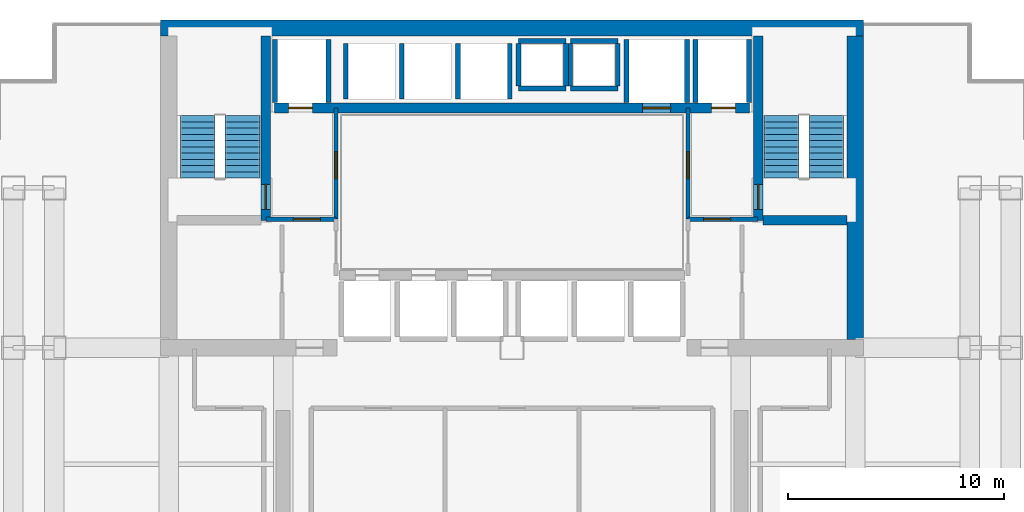
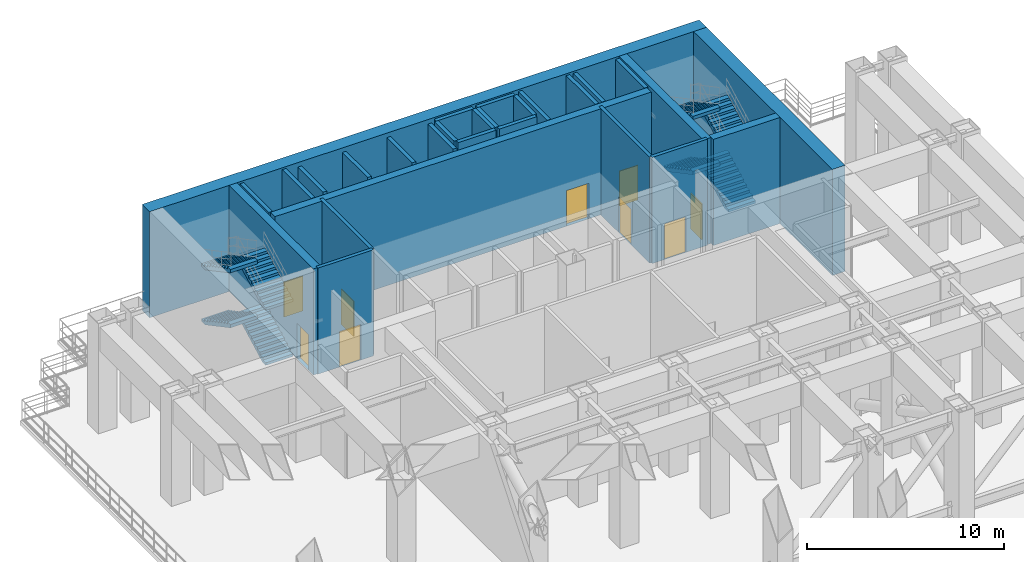
# One storey, part 4 of 7: 28 walls, 9 doors, 8 stair flights, 9 openings, 2 elements without a shape of their own.
"""IFC4 building model written with IfcOpenShell, lengths in metres."""

from ifc_helpers import new_model, si_unit, direction, frame, frame_2d, origin, place, context, subcontext, project, spatial, polyline, rectangle, outline, extrude, material, layer, layer_set, type_object, element, fill, aggregate, save


model = new_model("IFC4")

# Units and contexts
model_context = context("Model", 3, precision=1e-05, world=origin(), true_north=direction((0.0, 1.0)))
body_context = subcontext(model_context, "Body", "Model", "MODEL_VIEW")
ifc_project = project(units=[si_unit("LENGTHUNIT", "METRE"), si_unit("AREAUNIT", "SQUARE_METRE"), si_unit("VOLUMEUNIT", "CUBIC_METRE"), si_unit("PLANEANGLEUNIT", "RADIAN"), si_unit("MASSUNIT", "GRAM", prefix="KILO")], contexts=[model_context])

# Site, building, storey
site_placement = place(None, origin())
site = spatial("IfcSite", under=ifc_project, at=site_placement, CompositionType="ELEMENT")
building_placement = place(site_placement, origin())
building = spatial("IfcBuilding", under=site, at=building_placement, Name="Qianlan Lanfeng Residences", CompositionType="ELEMENT")
storey_placement = place(building_placement, frame((0.0, 0.0, 70.39990234375)))
storey = spatial("IfcBuildingStorey", under=building, at=storey_placement, Name="L19", CompositionType="ELEMENT", Elevation=70.39990234375)

# Wall, opening, door
ifc_material_1 = material(Name="Concrete C60", Category="concrete")
ifc_layer_1 = layer(ifc_material_1, 0.449951171875)
ifc_layer_set_1 = layer_set([ifc_layer_1], Name="Concrete C60")
wall_type_1 = type_object("IfcWallType", Name="CW-RC-450", PredefinedType="SHEAR", material=ifc_layer_set_1)
wall_1_placement = place(storey_placement, frame((15.10009765625, 31.10009765625, 0.0), z_axis=(0.0, 0.0, 1.0), x_axis=(0.0, 1.0, 0.0)))
wall_1 = element("IfcWall", 1, at=wall_1_placement, inside=storey, type_object=wall_type_1, Name="L19 Core Shear Wall ST1E", PredefinedType="SHEAR", context=body_context, shape_type="SweptSolid", body=[
    extrude(rectangle(XDim=8.52490234375, YDim=0.449951171875, at=frame_2d((4.262451171875, 0.0))), origin(), (0.0, 0.0, 1.0), 6.56005859375),
])
opening_1_placement = place(wall_1_placement, frame((0.510009765625, 0.0, 0.0)))
opening_1 = element("IfcOpeningElement", 2, at=opening_1_placement, cuts=wall_1, Name="Opening L19-D07", PredefinedType="OPENING", context=body_context, shape_type="SweptSolid", body=[
    extrude(rectangle(XDim=1.14990234375, YDim=2.199951171875, at=frame_2d((0.574951171875, 1.10009765625))), frame((0.0, 0.23486328125, 0.0), z_axis=(0.0, -1.0, 0.0), x_axis=(1.0, 0.0, 0.0)), (0.0, 0.0, 1.0), 0.469970703125),
])
ifc_material_2 = material(Name="Painted Galvanised Steel Fire Door", Category="steel")
door_type_1 = type_object("IfcDoorType", Name="DT-ST1", OperationType="NOTDEFINED", PredefinedType="DOOR", material=ifc_material_2)
door_1_placement = place(opening_1_placement, frame((1.14990234375, 0.0, 0.0), z_axis=(0.0, 0.0, 1.0), x_axis=(-1.0, 0.0, 0.0)))
door_1 = element("IfcDoor", 3, at=door_1_placement, inside=storey, type_object=door_type_1, Name="L19 Exit Stair ST-1 Door L19-D07 (DT-ST1)", OperationType="SINGLE_SWING_RIGHT", OverallHeight=2.199951171875, OverallWidth=1.14990234375, PredefinedType="DOOR", context=body_context, shape_type="SweptSolid", body=[
    extrude(rectangle(XDim=1.14990234375, YDim=2.199951171875, at=frame_2d((0.574951171875, 1.10009765625))), frame((0.0, 0.02490234375, 0.0), z_axis=(0.0, -1.0, 0.0), x_axis=(1.0, 0.0, 0.0)), (0.0, 0.0, 1.0), 0.050048828125),
])
fill(opening_1, door_1)

wall_2_placement = place(storey_placement, frame((37.89990234375, 31.10009765625, 0.0), z_axis=(0.0, 0.0, 1.0), x_axis=(0.0, 1.0, 0.0)))
wall_2 = element("IfcWall", 4, at=wall_2_placement, inside=storey, type_object=wall_type_1, Name="L19 Core Shear Wall ST2W", PredefinedType="SHEAR", context=body_context, shape_type="SweptSolid", body=[
    extrude(rectangle(XDim=8.52490234375, YDim=0.449951171875, at=frame_2d((4.262451171875, 0.0))), origin(), (0.0, 0.0, 1.0), 6.56005859375),
])
opening_2_placement = place(wall_2_placement, frame((0.510009765625, 0.0, 0.0)))
opening_2 = element("IfcOpeningElement", 5, at=opening_2_placement, cuts=wall_2, Name="Opening L19-D08", PredefinedType="OPENING", context=body_context, shape_type="SweptSolid", body=[
    extrude(rectangle(XDim=1.14990234375, YDim=2.199951171875, at=frame_2d((0.574951171875, 1.10009765625))), frame((0.0, 0.23486328125, 0.0), z_axis=(0.0, -1.0, 0.0), x_axis=(1.0, 0.0, 0.0)), (0.0, 0.0, 1.0), 0.469970703125),
])
door_2_placement = place(opening_2_placement, origin())
door_2 = element("IfcDoor", 6, at=door_2_placement, inside=storey, type_object=door_type_1, Name="L19 Exit Stair ST-2 Door L19-D08 (DT-ST1)", OperationType="SINGLE_SWING_RIGHT", OverallHeight=2.199951171875, OverallWidth=1.14990234375, PredefinedType="DOOR", context=body_context, shape_type="SweptSolid", body=[
    extrude(rectangle(XDim=1.14990234375, YDim=2.199951171875, at=frame_2d((0.574951171875, 1.10009765625))), frame((0.0, 0.02490234375, 0.0), z_axis=(0.0, -1.0, 0.0), x_axis=(1.0, 0.0, 0.0)), (0.0, 0.0, 1.0), 0.050048828125),
])
fill(opening_2, door_2)

# Wall
wall_3_placement = place(storey_placement, frame((38.125, 31.10009765625, 0.0), z_axis=(0.0, 0.0, 1.0), x_axis=(1.0, 0.0, 0.0)))
element("IfcWall", 7, at=wall_3_placement, inside=storey, type_object=wall_type_1, Name="L19 Core Shear Wall ST2S", PredefinedType="SHEAR", context=body_context, shape_type="SweptSolid", body=[
    extrude(rectangle(XDim=3.89990234375, YDim=0.449951171875, at=frame_2d((1.949951171875, 0.0))), origin(), (0.0, 0.0, 1.0), 6.56005859375),
])

# Wall, openings, doors
wall_4_placement = place(storey_placement, frame((15.5, 36.300048828125, 0.0), z_axis=(0.0, 0.0, 1.0), x_axis=(1.0, 0.0, 0.0)))
wall_4 = element("IfcWall", 8, at=wall_4_placement, inside=storey, type_object=wall_type_1, Name="L19 Core Shear Wall LBN", PredefinedType="SHEAR", context=body_context, shape_type="SweptSolid", body=[
    extrude(rectangle(XDim=22.0, YDim=0.449951171875, at=frame_2d((11.0, 0.0))), origin(), (0.0, 0.0, 1.0), 6.56005859375),
])
opening_3_placement = place(wall_4_placement, frame((0.64990234375, 0.0, 0.0)))
opening_3 = element("IfcOpeningElement", 9, at=opening_3_placement, cuts=wall_4, Name="Opening L19-LD-FFL-1", PredefinedType="OPENING", context=body_context, shape_type="SweptSolid", body=[
    extrude(rectangle(XDim=1.10009765625, YDim=2.14990234375, at=frame_2d((0.550048828125, 1.074951171875))), frame((0.0, 0.23486328125, 0.0), z_axis=(0.0, -1.0, 0.0), x_axis=(1.0, 0.0, 0.0)), (0.0, 0.0, 1.0), 0.469970703125),
])
opening_4_placement = place(wall_4_placement, frame((20.25, 0.0, 0.0)))
opening_4 = element("IfcOpeningElement", 10, at=opening_4_placement, cuts=wall_4, Name="Opening L19-LD-FFL-2", PredefinedType="OPENING", context=body_context, shape_type="SweptSolid", body=[
    extrude(rectangle(XDim=1.10009765625, YDim=2.14990234375, at=frame_2d((0.550048828125, 1.074951171875))), frame((0.0, 0.23486328125, 0.0), z_axis=(0.0, -1.0, 0.0), x_axis=(1.0, 0.0, 0.0)), (0.0, 0.0, 1.0), 0.469970703125),
])
opening_5_placement = place(wall_4_placement, frame((17.050048828125, 0.0, 0.0)))
opening_5 = element("IfcOpeningElement", 11, at=opening_5_placement, cuts=wall_4, Name="Opening L19-LD-SVL-1", PredefinedType="OPENING", context=body_context, shape_type="SweptSolid", body=[
    extrude(rectangle(XDim=1.300048828125, YDim=2.199951171875, at=frame_2d((0.64990234375, 1.10009765625))), frame((0.0, 0.23486328125, 0.0), z_axis=(0.0, -1.0, 0.0), x_axis=(1.0, 0.0, 0.0)), (0.0, 0.0, 1.0), 0.469970703125),
])
ifc_material_3 = material(Name="Brushed Stainless Steel Sliding Lift Door", Category="steel")
door_type_2 = type_object("IfcDoorType", Name="LD-01", OperationType="NOTDEFINED", PredefinedType="DOOR", material=ifc_material_3)
door_3_placement = place(opening_3_placement, frame((1.10009765625, 0.0, 0.0), z_axis=(0.0, 0.0, 1.0), x_axis=(-1.0, 0.0, 0.0)))
door_3 = element("IfcDoor", 12, at=door_3_placement, inside=storey, type_object=door_type_2, Name="L19 Elevator FFL-1 Sliding Landing Door", OperationType="DOUBLE_DOOR_SLIDING", OverallHeight=2.14990234375, OverallWidth=1.10009765625, PredefinedType="DOOR", context=body_context, shape_type="SweptSolid", body=[
    extrude(rectangle(XDim=1.10009765625, YDim=2.14990234375, at=frame_2d((0.550048828125, 1.074951171875))), frame((0.0, 0.02490234375, 0.0), z_axis=(0.0, -1.0, 0.0), x_axis=(1.0, 0.0, 0.0)), (0.0, 0.0, 1.0), 0.050048828125),
])
fill(opening_3, door_3)
door_4_placement = place(opening_4_placement, frame((1.10009765625, 0.0, 0.0), z_axis=(0.0, 0.0, 1.0), x_axis=(-1.0, 0.0, 0.0)))
door_4 = element("IfcDoor", 13, at=door_4_placement, inside=storey, type_object=door_type_2, Name="L19 Elevator FFL-2 Sliding Landing Door", OperationType="DOUBLE_DOOR_SLIDING", OverallHeight=2.14990234375, OverallWidth=1.10009765625, PredefinedType="DOOR", context=body_context, shape_type="SweptSolid", body=[
    extrude(rectangle(XDim=1.10009765625, YDim=2.14990234375, at=frame_2d((0.550048828125, 1.074951171875))), frame((0.0, 0.02490234375, 0.0), z_axis=(0.0, -1.0, 0.0), x_axis=(1.0, 0.0, 0.0)), (0.0, 0.0, 1.0), 0.050048828125),
])
fill(opening_4, door_4)
door_type_3 = type_object("IfcDoorType", Name="LD-02", OperationType="NOTDEFINED", PredefinedType="DOOR", material=ifc_material_3)
door_5_placement = place(opening_5_placement, frame((1.300048828125, 0.0, 0.0), z_axis=(0.0, 0.0, 1.0), x_axis=(-1.0, 0.0, 0.0)))
door_5 = element("IfcDoor", 14, at=door_5_placement, inside=storey, type_object=door_type_3, Name="L19 Elevator SVL-1 Sliding Landing Door", OperationType="DOUBLE_DOOR_SLIDING", OverallHeight=2.199951171875, OverallWidth=1.300048828125, PredefinedType="DOOR", context=body_context, shape_type="SweptSolid", body=[
    extrude(rectangle(XDim=1.300048828125, YDim=2.199951171875, at=frame_2d((0.64990234375, 1.10009765625))), frame((0.0, 0.02490234375, 0.0), z_axis=(0.0, -1.0, 0.0), x_axis=(1.0, 0.0, 0.0)), (0.0, 0.0, 1.0), 0.050048828125),
])
fill(opening_5, door_5)

# Walls
ifc_layer_2 = layer(ifc_material_1, 0.75)
ifc_layer_set_2 = layer_set([ifc_layer_2], Name="Concrete C60")
wall_type_2 = type_object("IfcWallType", Name="CW-RC-750", PredefinedType="SHEAR", material=ifc_layer_set_2)
wall_5_placement = place(storey_placement, frame((10.22509765625, 40.0, 0.0), z_axis=(0.0, 0.0, 1.0), x_axis=(1.0, 0.0, 0.0)))
element("IfcWall", 15, at=wall_5_placement, inside=storey, type_object=wall_type_2, Name="L19 Core Shear Wall N", PredefinedType="SHEAR", context=body_context, shape_type="SweptSolid", body=[
    extrude(rectangle(XDim=32.5498046875, YDim=0.75, at=frame_2d((16.27490234375, 0.0))), origin(), (0.0, 0.0, 1.0), 6.56005859375),
])
wall_6_placement = place(storey_placement, frame((42.39990234375, 25.574951171875, 0.0), z_axis=(0.0, 0.0, 1.0), x_axis=(0.0, 1.0, 0.0)))
element("IfcWall", 16, at=wall_6_placement, inside=storey, type_object=wall_type_2, Name="L19 Core Shear Wall E", PredefinedType="SHEAR", context=body_context, shape_type="SweptSolid", body=[
    extrude(rectangle(XDim=14.050048828125, YDim=0.75, at=frame_2d((7.02490234375, 0.0))), origin(), (0.0, 0.0, 1.0), 6.56005859375),
])

# Wall, opening, door
ifc_material_4 = material(Name="Autoclaved Aerated Concrete Blockwork 200 mm", Category="masonry")
ifc_layer_3 = layer(ifc_material_4, 0.199951171875)
ifc_layer_set_3 = layer_set([ifc_layer_3], Name="Autoclaved Aerated Concrete Blockwork 200 mm")
wall_type_3 = type_object("IfcWallType", Name="PW-200", PredefinedType="PARTITIONING", material=ifc_layer_set_3)
wall_7_placement = place(storey_placement, frame((15.10009765625, 31.14990234375, 0.0), z_axis=(0.0, 0.0, 1.0), x_axis=(1.0, 0.0, 0.0)))
wall_7 = element("IfcWall", 17, at=wall_7_placement, inside=storey, type_object=wall_type_3, Name="L19 Firefighting Lobby 1 South Wall", PredefinedType="PARTITIONING", context=body_context, shape_type="SweptSolid", body=[
    extrude(rectangle(XDim=3.25, YDim=0.199951171875, at=frame_2d((1.625, 0.0))), origin(), (0.0, 0.0, 1.0), 6.56005859375),
])
opening_6_placement = place(wall_7_placement, frame((1.27490234375, 0.0, 0.0)))
opening_6 = element("IfcOpeningElement", 18, at=opening_6_placement, cuts=wall_7, Name="Opening L19-D03", PredefinedType="OPENING", context=body_context, shape_type="SweptSolid", body=[
    extrude(rectangle(XDim=1.25, YDim=2.199951171875, at=frame_2d((0.625, 1.10009765625))), frame((0.0, 0.10986328125, 0.0), z_axis=(0.0, -1.0, 0.0), x_axis=(1.0, 0.0, 0.0)), (0.0, 0.0, 1.0), 0.219970703125),
])
door_type_4 = type_object("IfcDoorType", Name="DT-FFL", OperationType="NOTDEFINED", PredefinedType="DOOR", material=ifc_material_2)
door_6_placement = place(opening_6_placement, origin())
door_6 = element("IfcDoor", 19, at=door_6_placement, inside=storey, type_object=door_type_4, Name="L19 Firefighting Lobby 1 Entry Door L19-D03 (DT-FFL)", OperationType="SINGLE_SWING_LEFT", OverallHeight=2.199951171875, OverallWidth=1.25, PredefinedType="DOOR", context=body_context, shape_type="SweptSolid", body=[
    extrude(rectangle(XDim=1.25, YDim=2.199951171875, at=frame_2d((0.625, 1.10009765625))), frame((0.0, 0.02490234375, 0.0), z_axis=(0.0, -1.0, 0.0), x_axis=(1.0, 0.0, 0.0)), (0.0, 0.0, 1.0), 0.050048828125),
])
fill(opening_6, door_6)

wall_8_placement = place(storey_placement, frame((18.35009765625, 31.14990234375, 0.0), z_axis=(0.0, 0.0, 1.0), x_axis=(0.0, 1.0, 0.0)))
wall_8 = element("IfcWall", 20, at=wall_8_placement, inside=storey, type_object=wall_type_3, Name="L19 Firefighting Lobby 1 East Wall", PredefinedType="PARTITIONING", context=body_context, shape_type="SweptSolid", body=[
    extrude(rectangle(XDim=5.150146484375, YDim=0.199951171875, at=frame_2d((2.5751953125, 0.0))), origin(), (0.0, 0.0, 1.0), 6.56005859375),
])
opening_7_placement = place(wall_8_placement, frame((1.875, 0.0, 0.0)))
opening_7 = element("IfcOpeningElement", 21, at=opening_7_placement, cuts=wall_8, Name="Opening L19-D04", PredefinedType="OPENING", context=body_context, shape_type="SweptSolid", body=[
    extrude(rectangle(XDim=1.25, YDim=2.199951171875, at=frame_2d((0.625, 1.10009765625))), frame((0.0, 0.10986328125, 0.0), z_axis=(0.0, -1.0, 0.0), x_axis=(1.0, 0.0, 0.0)), (0.0, 0.0, 1.0), 0.219970703125),
])
door_7_placement = place(opening_7_placement, origin())
door_7 = element("IfcDoor", 22, at=door_7_placement, inside=storey, type_object=door_type_4, Name="L19 Firefighting Lobby 1 Lift Lobby Door L19-D04 (DT-FFL)", OperationType="SINGLE_SWING_LEFT", OverallHeight=2.199951171875, OverallWidth=1.25, PredefinedType="DOOR", context=body_context, shape_type="SweptSolid", body=[
    extrude(rectangle(XDim=1.25, YDim=2.199951171875, at=frame_2d((0.625, 1.10009765625))), frame((0.0, 0.02490234375, 0.0), z_axis=(0.0, -1.0, 0.0), x_axis=(1.0, 0.0, 0.0)), (0.0, 0.0, 1.0), 0.050048828125),
])
fill(opening_7, door_7)

wall_9_placement = place(storey_placement, frame((34.64990234375, 31.14990234375, 0.0), z_axis=(0.0, 0.0, 1.0), x_axis=(1.0, 0.0, 0.0)))
wall_9 = element("IfcWall", 23, at=wall_9_placement, inside=storey, type_object=wall_type_3, Name="L19 Firefighting Lobby 2 South Wall", PredefinedType="PARTITIONING", context=body_context, shape_type="SweptSolid", body=[
    extrude(rectangle(XDim=3.25, YDim=0.199951171875, at=frame_2d((1.625, 0.0))), origin(), (0.0, 0.0, 1.0), 6.56005859375),
])
opening_8_placement = place(wall_9_placement, frame((0.72509765625, 0.0, 0.0)))
opening_8 = element("IfcOpeningElement", 24, at=opening_8_placement, cuts=wall_9, Name="Opening L19-D05", PredefinedType="OPENING", context=body_context, shape_type="SweptSolid", body=[
    extrude(rectangle(XDim=1.25, YDim=2.199951171875, at=frame_2d((0.625, 1.10009765625))), frame((0.0, 0.10986328125, 0.0), z_axis=(0.0, -1.0, 0.0), x_axis=(1.0, 0.0, 0.0)), (0.0, 0.0, 1.0), 0.219970703125),
])
door_8_placement = place(opening_8_placement, origin())
door_8 = element("IfcDoor", 25, at=door_8_placement, inside=storey, type_object=door_type_4, Name="L19 Firefighting Lobby 2 Entry Door L19-D05 (DT-FFL)", OperationType="SINGLE_SWING_RIGHT", OverallHeight=2.199951171875, OverallWidth=1.25, PredefinedType="DOOR", context=body_context, shape_type="SweptSolid", body=[
    extrude(rectangle(XDim=1.25, YDim=2.199951171875, at=frame_2d((0.625, 1.10009765625))), frame((0.0, 0.02490234375, 0.0), z_axis=(0.0, -1.0, 0.0), x_axis=(1.0, 0.0, 0.0)), (0.0, 0.0, 1.0), 0.050048828125),
])
fill(opening_8, door_8)

wall_10_placement = place(storey_placement, frame((34.64990234375, 31.14990234375, 0.0), z_axis=(0.0, 0.0, 1.0), x_axis=(0.0, 1.0, 0.0)))
wall_10 = element("IfcWall", 26, at=wall_10_placement, inside=storey, type_object=wall_type_3, Name="L19 Firefighting Lobby 2 West Wall", PredefinedType="PARTITIONING", context=body_context, shape_type="SweptSolid", body=[
    extrude(rectangle(XDim=5.150146484375, YDim=0.199951171875, at=frame_2d((2.5751953125, 0.0))), origin(), (0.0, 0.0, 1.0), 6.56005859375),
])
opening_9_placement = place(wall_10_placement, frame((1.875, 0.0, 0.0)))
opening_9 = element("IfcOpeningElement", 27, at=opening_9_placement, cuts=wall_10, Name="Opening L19-D06", PredefinedType="OPENING", context=body_context, shape_type="SweptSolid", body=[
    extrude(rectangle(XDim=1.25, YDim=2.199951171875, at=frame_2d((0.625, 1.10009765625))), frame((0.0, 0.10986328125, 0.0), z_axis=(0.0, -1.0, 0.0), x_axis=(1.0, 0.0, 0.0)), (0.0, 0.0, 1.0), 0.219970703125),
])
door_9_placement = place(opening_9_placement, origin())
door_9 = element("IfcDoor", 28, at=door_9_placement, inside=storey, type_object=door_type_4, Name="L19 Firefighting Lobby 2 Lift Lobby Door L19-D06 (DT-FFL)", OperationType="SINGLE_SWING_LEFT", OverallHeight=2.199951171875, OverallWidth=1.25, PredefinedType="DOOR", context=body_context, shape_type="SweptSolid", body=[
    extrude(rectangle(XDim=1.25, YDim=2.199951171875, at=frame_2d((0.625, 1.10009765625))), frame((0.0, 0.02490234375, 0.0), z_axis=(0.0, -1.0, 0.0), x_axis=(1.0, 0.0, 0.0)), (0.0, 0.0, 1.0), 0.050048828125),
])
fill(opening_9, door_9)

# Walls
ifc_material_5 = material(Name="Concrete C49", Category="concrete")
ifc_layer_4 = layer(ifc_material_5, 0.219970703125)
ifc_layer_set_4 = layer_set([ifc_layer_4], Name="Concrete C49")
wall_type_4 = type_object("IfcWallType", Name="SHW-220", PredefinedType="SOLIDWALL", material=ifc_layer_set_4)
for number, where, z_axis, x_axis, name in (
    (29, (15.52001953125, 36.550048828125, 0.0), (0.0, 0.0, 1.0), (0.0, 1.0, 0.0), "L19 Lift FFL-1 Shaft Wall W"),
    (30, (18.0, 36.550048828125, 0.0), (0.0, 0.0, 1.0), (0.0, 1.0, 0.0), "L19 Lift FFL-1 Shaft Wall E"),
    (31, (35.0, 36.550048828125, 0.0), (0.0, 0.0, 1.0), (0.0, 1.0, 0.0), "L19 Lift FFL-2 Shaft Wall W"),
    (32, (37.47998046875, 36.550048828125, 0.0), (0.0, 0.0, 1.0), (0.0, 1.0, 0.0), "L19 Lift FFL-2 Shaft Wall E"),
    (33, (31.800048828125, 36.550048828125, 0.0), (0.0, 0.0, 1.0), (0.0, 1.0, 0.0), "L19 Lift SVL-1 Shaft Wall W"),
    (34, (34.60009765625, 36.550048828125, 0.0), (0.0, 0.0, 1.0), (0.0, 1.0, 0.0), "L19 Lift SVL-1 Shaft Wall E"),
):
    element("IfcWall", number, at=place(storey_placement, frame(where, z_axis=z_axis, x_axis=x_axis)), inside=storey, type_object=wall_type_4, Name=name, PredefinedType="SOLIDWALL", context=body_context, shape_type="SweptSolid", body=[
        extrude(rectangle(XDim=2.929931640625, YDim=0.219970703125, at=frame_2d((1.46484375, 0.0))), origin(), (0.0, 0.0, 1.0), 6.56005859375),
    ])
for number, where, z_axis, x_axis, name in (
    (35, (18.800048828125, 36.719970703125, 0.0), (0.0, 0.0, 1.0), (0.0, 1.0, 0.0), "L19 Lift PL-H1 Shaft Wall W"),
    (36, (21.39990234375, 36.719970703125, 0.0), (0.0, 0.0, 1.0), (0.0, 1.0, 0.0), "L19 Lift PL-H2 Shaft Wall W"),
    (37, (24.0, 36.719970703125, 0.0), (0.0, 0.0, 1.0), (0.0, 1.0, 0.0), "L19 Lift PL-H3 Shaft Wall W"),
    (38, (26.39990234375, 36.719970703125, 0.0), (0.0, 0.0, 1.0), (0.0, 1.0, 0.0), "L19 Lift PL-H3 Shaft Wall E"),
):
    element("IfcWall", number, at=place(storey_placement, frame(where, z_axis=z_axis, x_axis=x_axis)), inside=storey, type_object=wall_type_4, Name=name, PredefinedType="SOLIDWALL", context=body_context, shape_type="SweptSolid", body=[
        extrude(rectangle(XDim=2.56005859375, YDim=0.219970703125, at=frame_2d((1.280029296875, 0.0))), origin(), (0.0, 0.0, 1.0), 6.56005859375),
    ])
for number, where, z_axis, x_axis, name in (
    (39, (26.800048828125, 37.31005859375, 0.0), (0.0, 0.0, 1.0), (0.0, 1.0, 0.0), "L19 MEP Riser MEP-R1 Shaft Wall W"),
    (40, (29.0, 37.31005859375, 0.0), (0.0, 0.0, 1.0), (0.0, 1.0, 0.0), "L19 MEP Riser MEP-R1 Shaft Wall E"),
):
    element("IfcWall", number, at=place(storey_placement, frame(where, z_axis=z_axis, x_axis=x_axis)), inside=storey, type_object=wall_type_4, Name=name, PredefinedType="SOLIDWALL", context=body_context, shape_type="SweptSolid", body=[
        extrude(rectangle(XDim=1.97998046875, YDim=0.219970703125, at=frame_2d((0.989990234375, 0.0))), origin(), (0.0, 0.0, 1.0), 6.56005859375),
    ])
for number, where, z_axis, x_axis, name in (
    (41, (26.800048828125, 39.39990234375, 0.0), (0.0, 0.0, 1.0), (1.0, 0.0, 0.0), "L19 MEP Riser MEP-R1 Shaft Wall N"),
    (42, (26.800048828125, 37.199951171875, 0.0), (0.0, 0.0, 1.0), (1.0, 0.0, 0.0), "L19 MEP Riser MEP-R1 Shaft Wall S"),
):
    element("IfcWall", number, at=place(storey_placement, frame(where, z_axis=z_axis, x_axis=x_axis)), inside=storey, type_object=wall_type_4, Name=name, PredefinedType="SOLIDWALL", context=body_context, shape_type="SweptSolid", body=[
        extrude(rectangle(XDim=2.199951171875, YDim=0.219970703125, at=frame_2d((1.10009765625, 0.0))), origin(), (0.0, 0.0, 1.0), 6.56005859375),
    ])
for number, where, z_axis, x_axis, name in (
    (43, (29.199951171875, 37.31005859375, 0.0), (0.0, 0.0, 1.0), (0.0, 1.0, 0.0), "L19 MEP Riser MEP-R2 Shaft Wall W"),
    (44, (31.39990234375, 37.31005859375, 0.0), (0.0, 0.0, 1.0), (0.0, 1.0, 0.0), "L19 MEP Riser MEP-R2 Shaft Wall E"),
):
    element("IfcWall", number, at=place(storey_placement, frame(where, z_axis=z_axis, x_axis=x_axis)), inside=storey, type_object=wall_type_4, Name=name, PredefinedType="SOLIDWALL", context=body_context, shape_type="SweptSolid", body=[
        extrude(rectangle(XDim=1.97998046875, YDim=0.219970703125, at=frame_2d((0.989990234375, 0.0))), origin(), (0.0, 0.0, 1.0), 6.56005859375),
    ])
for number, where, z_axis, x_axis, name in (
    (45, (29.199951171875, 39.39990234375, 0.0), (0.0, 0.0, 1.0), (1.0, 0.0, 0.0), "L19 MEP Riser MEP-R2 Shaft Wall N"),
    (46, (29.199951171875, 37.199951171875, 0.0), (0.0, 0.0, 1.0), (1.0, 0.0, 0.0), "L19 MEP Riser MEP-R2 Shaft Wall S"),
):
    element("IfcWall", number, at=place(storey_placement, frame(where, z_axis=z_axis, x_axis=x_axis)), inside=storey, type_object=wall_type_4, Name=name, PredefinedType="SOLIDWALL", context=body_context, shape_type="SweptSolid", body=[
        extrude(rectangle(XDim=2.199951171875, YDim=0.219970703125, at=frame_2d((1.10009765625, 0.0))), origin(), (0.0, 0.0, 1.0), 6.56005859375),
    ])

# Stair, stair flights
ifc_material_6 = material(Name="Concrete C42", Category="concrete")
stair_type = type_object("IfcStairType", Name="STR-MAIN", PredefinedType="HALF_TURN_STAIR", material=ifc_material_6)
stair_1_placement = place(storey_placement, origin())
stair_1 = element("IfcStair", 47, at=stair_1_placement, inside=storey, type_object=stair_type, Name="L19 Exit Stair ST-1", PredefinedType="HALF_TURN_STAIR")
stair_flight_type = type_object("IfcStairFlightType", Name="FLT-1720", PredefinedType="STRAIGHT", material=ifc_material_6)
stair_flight_1_placement = place(storey_placement, frame((14.02001953125, 33.050048828125, 0.0), z_axis=(0.0, 0.0, 1.0), x_axis=(0.0, 1.0, 0.0)))
stair_flight_1 = element("IfcStairFlight", 48, at=stair_flight_1_placement, type_object=stair_flight_type, Name="ST-1 flight 1", NumberOfRisers=11, NumberOfTreads=10, PredefinedType="STRAIGHT", RiserHeight=0.154545455, TreadLength=0.29, context=body_context, shape_type="SweptSolid", body=[
    extrude(outline(polyline([(0.0, 0.0), (0.0, 0.154541015625), (0.2900390625, 0.154541015625), (0.2900390625, 0.30908203125), (0.580078125, 0.30908203125), (0.580078125, 0.463623046875), (0.8701171875, 0.463623046875), (0.8701171875, 0.6181640625), (1.159912109375, 0.6181640625), (1.159912109375, 0.772705078125), (1.449951171875, 0.772705078125), (1.449951171875, 0.92724609375), (1.739990234375, 0.92724609375), (1.739990234375, 1.081787109375), (2.030029296875, 1.081787109375), (2.030029296875, 1.236328125), (2.320068359375, 1.236328125), (2.320068359375, 1.390869140625), (2.610107421875, 1.390869140625), (2.610107421875, 1.54541015625), (2.89990234375, 1.54541015625), (2.89990234375, 1.699951171875), (2.89990234375, 1.341552734375), (0.382568359375, 0.0), (0.0, 0.0)])), frame((0.0, 0.800048828125, 0.0), z_axis=(0.0, -1.0, 0.0), x_axis=(1.0, 0.0, 0.0)), (0.0, 0.0, 1.0), 1.60009765625),
])
stair_flight_2_placement = place(storey_placement, frame((11.93994140625, 35.949951171875, 1.7001953125), z_axis=(0.0, 0.0, 1.0), x_axis=(0.0, -1.0, 0.0)))
stair_flight_2 = element("IfcStairFlight", 49, at=stair_flight_2_placement, type_object=stair_flight_type, Name="ST-1 flight 2", NumberOfRisers=11, NumberOfTreads=10, PredefinedType="STRAIGHT", RiserHeight=0.154545455, TreadLength=0.29, context=body_context, shape_type="SweptSolid", body=[
    extrude(outline(polyline([(0.0, 0.0), (0.0, 0.154541015625), (0.2900390625, 0.154541015625), (0.2900390625, 0.30908203125), (0.580078125, 0.30908203125), (0.580078125, 0.463623046875), (0.8701171875, 0.463623046875), (0.8701171875, 0.6181640625), (1.159912109375, 0.6181640625), (1.159912109375, 0.772705078125), (1.449951171875, 0.772705078125), (1.449951171875, 0.92724609375), (1.739990234375, 0.92724609375), (1.739990234375, 1.081787109375), (2.030029296875, 1.081787109375), (2.030029296875, 1.236328125), (2.320068359375, 1.236328125), (2.320068359375, 1.390869140625), (2.610107421875, 1.390869140625), (2.610107421875, 1.54541015625), (2.89990234375, 1.54541015625), (2.89990234375, 1.699951171875), (2.89990234375, 1.341552734375), (0.382568359375, 0.0), (0.0, 0.0)])), frame((0.0, 0.800048828125, 0.0), z_axis=(0.0, -1.0, 0.0), x_axis=(1.0, 0.0, 0.0)), (0.0, 0.0, 1.0), 1.60009765625),
])
stair_flight_3_placement = place(storey_placement, frame((14.02001953125, 33.050048828125, 3.400146484375), z_axis=(0.0, 0.0, 1.0), x_axis=(0.0, 1.0, 0.0)))
stair_flight_3 = element("IfcStairFlight", 50, at=stair_flight_3_placement, type_object=stair_flight_type, Name="ST-1 flight 3", NumberOfRisers=11, NumberOfTreads=10, PredefinedType="STRAIGHT", RiserHeight=0.154545455, TreadLength=0.29, context=body_context, shape_type="SweptSolid", body=[
    extrude(outline(polyline([(0.0, 0.0), (0.0, 0.154541015625), (0.2900390625, 0.154541015625), (0.2900390625, 0.30908203125), (0.580078125, 0.30908203125), (0.580078125, 0.463623046875), (0.8701171875, 0.463623046875), (0.8701171875, 0.6181640625), (1.159912109375, 0.6181640625), (1.159912109375, 0.772705078125), (1.449951171875, 0.772705078125), (1.449951171875, 0.92724609375), (1.739990234375, 0.92724609375), (1.739990234375, 1.081787109375), (2.030029296875, 1.081787109375), (2.030029296875, 1.236328125), (2.320068359375, 1.236328125), (2.320068359375, 1.390869140625), (2.610107421875, 1.390869140625), (2.610107421875, 1.54541015625), (2.89990234375, 1.54541015625), (2.89990234375, 1.699951171875), (2.89990234375, 1.341552734375), (0.382568359375, 0.0), (0.0, 0.0)])), frame((0.0, 0.800048828125, 0.0), z_axis=(0.0, -1.0, 0.0), x_axis=(1.0, 0.0, 0.0)), (0.0, 0.0, 1.0), 1.60009765625),
])
stair_flight_4_placement = place(storey_placement, frame((11.93994140625, 35.949951171875, 5.10009765625), z_axis=(0.0, 0.0, 1.0), x_axis=(0.0, -1.0, 0.0)))
stair_flight_4 = element("IfcStairFlight", 51, at=stair_flight_4_placement, type_object=stair_flight_type, Name="ST-1 flight 4", NumberOfRisers=11, NumberOfTreads=10, PredefinedType="STRAIGHT", RiserHeight=0.154545455, TreadLength=0.29, context=body_context, shape_type="SweptSolid", body=[
    extrude(outline(polyline([(0.0, 0.0), (0.0, 0.154541015625), (0.2900390625, 0.154541015625), (0.2900390625, 0.30908203125), (0.580078125, 0.30908203125), (0.580078125, 0.463623046875), (0.8701171875, 0.463623046875), (0.8701171875, 0.6181640625), (1.159912109375, 0.6181640625), (1.159912109375, 0.772705078125), (1.449951171875, 0.772705078125), (1.449951171875, 0.92724609375), (1.739990234375, 0.92724609375), (1.739990234375, 1.081787109375), (2.030029296875, 1.081787109375), (2.030029296875, 1.236328125), (2.320068359375, 1.236328125), (2.320068359375, 1.390869140625), (2.610107421875, 1.390869140625), (2.610107421875, 1.54541015625), (2.89990234375, 1.54541015625), (2.89990234375, 1.699951171875), (2.89990234375, 1.341552734375), (0.382568359375, 0.0), (0.0, 0.0)])), frame((0.0, 0.800048828125, 0.0), z_axis=(0.0, -1.0, 0.0), x_axis=(1.0, 0.0, 0.0)), (0.0, 0.0, 1.0), 1.60009765625),
])
aggregate(stair_1, [stair_flight_1, stair_flight_2, stair_flight_3, stair_flight_4])

stair_2_placement = place(storey_placement, origin())
stair_2 = element("IfcStair", 52, at=stair_2_placement, inside=storey, type_object=stair_type, Name="L19 Exit Stair ST-2", PredefinedType="HALF_TURN_STAIR")
stair_flight_5_placement = place(storey_placement, frame((41.06005859375, 33.050048828125, 0.0), z_axis=(0.0, 0.0, 1.0), x_axis=(0.0, 1.0, 0.0)))
stair_flight_5 = element("IfcStairFlight", 53, at=stair_flight_5_placement, type_object=stair_flight_type, Name="ST-2 flight 1", NumberOfRisers=11, NumberOfTreads=10, PredefinedType="STRAIGHT", RiserHeight=0.154545455, TreadLength=0.29, context=body_context, shape_type="SweptSolid", body=[
    extrude(outline(polyline([(0.0, 0.0), (0.0, 0.154541015625), (0.2900390625, 0.154541015625), (0.2900390625, 0.30908203125), (0.580078125, 0.30908203125), (0.580078125, 0.463623046875), (0.8701171875, 0.463623046875), (0.8701171875, 0.6181640625), (1.159912109375, 0.6181640625), (1.159912109375, 0.772705078125), (1.449951171875, 0.772705078125), (1.449951171875, 0.92724609375), (1.739990234375, 0.92724609375), (1.739990234375, 1.081787109375), (2.030029296875, 1.081787109375), (2.030029296875, 1.236328125), (2.320068359375, 1.236328125), (2.320068359375, 1.390869140625), (2.610107421875, 1.390869140625), (2.610107421875, 1.54541015625), (2.89990234375, 1.54541015625), (2.89990234375, 1.699951171875), (2.89990234375, 1.341552734375), (0.382568359375, 0.0), (0.0, 0.0)])), frame((0.0, 0.800048828125, 0.0), z_axis=(0.0, -1.0, 0.0), x_axis=(1.0, 0.0, 0.0)), (0.0, 0.0, 1.0), 1.60009765625),
])
stair_flight_6_placement = place(storey_placement, frame((38.97998046875, 35.949951171875, 1.7001953125), z_axis=(0.0, 0.0, 1.0), x_axis=(0.0, -1.0, 0.0)))
stair_flight_6 = element("IfcStairFlight", 54, at=stair_flight_6_placement, type_object=stair_flight_type, Name="ST-2 flight 2", NumberOfRisers=11, NumberOfTreads=10, PredefinedType="STRAIGHT", RiserHeight=0.154545455, TreadLength=0.29, context=body_context, shape_type="SweptSolid", body=[
    extrude(outline(polyline([(0.0, 0.0), (0.0, 0.154541015625), (0.2900390625, 0.154541015625), (0.2900390625, 0.30908203125), (0.580078125, 0.30908203125), (0.580078125, 0.463623046875), (0.8701171875, 0.463623046875), (0.8701171875, 0.6181640625), (1.159912109375, 0.6181640625), (1.159912109375, 0.772705078125), (1.449951171875, 0.772705078125), (1.449951171875, 0.92724609375), (1.739990234375, 0.92724609375), (1.739990234375, 1.081787109375), (2.030029296875, 1.081787109375), (2.030029296875, 1.236328125), (2.320068359375, 1.236328125), (2.320068359375, 1.390869140625), (2.610107421875, 1.390869140625), (2.610107421875, 1.54541015625), (2.89990234375, 1.54541015625), (2.89990234375, 1.699951171875), (2.89990234375, 1.341552734375), (0.382568359375, 0.0), (0.0, 0.0)])), frame((0.0, 0.800048828125, 0.0), z_axis=(0.0, -1.0, 0.0), x_axis=(1.0, 0.0, 0.0)), (0.0, 0.0, 1.0), 1.60009765625),
])
stair_flight_7_placement = place(storey_placement, frame((41.06005859375, 33.050048828125, 3.400146484375), z_axis=(0.0, 0.0, 1.0), x_axis=(0.0, 1.0, 0.0)))
stair_flight_7 = element("IfcStairFlight", 55, at=stair_flight_7_placement, type_object=stair_flight_type, Name="ST-2 flight 3", NumberOfRisers=11, NumberOfTreads=10, PredefinedType="STRAIGHT", RiserHeight=0.154545455, TreadLength=0.29, context=body_context, shape_type="SweptSolid", body=[
    extrude(outline(polyline([(0.0, 0.0), (0.0, 0.154541015625), (0.2900390625, 0.154541015625), (0.2900390625, 0.30908203125), (0.580078125, 0.30908203125), (0.580078125, 0.463623046875), (0.8701171875, 0.463623046875), (0.8701171875, 0.6181640625), (1.159912109375, 0.6181640625), (1.159912109375, 0.772705078125), (1.449951171875, 0.772705078125), (1.449951171875, 0.92724609375), (1.739990234375, 0.92724609375), (1.739990234375, 1.081787109375), (2.030029296875, 1.081787109375), (2.030029296875, 1.236328125), (2.320068359375, 1.236328125), (2.320068359375, 1.390869140625), (2.610107421875, 1.390869140625), (2.610107421875, 1.54541015625), (2.89990234375, 1.54541015625), (2.89990234375, 1.699951171875), (2.89990234375, 1.341552734375), (0.382568359375, 0.0), (0.0, 0.0)])), frame((0.0, 0.800048828125, 0.0), z_axis=(0.0, -1.0, 0.0), x_axis=(1.0, 0.0, 0.0)), (0.0, 0.0, 1.0), 1.60009765625),
])
stair_flight_8_placement = place(storey_placement, frame((38.97998046875, 35.949951171875, 5.10009765625), z_axis=(0.0, 0.0, 1.0), x_axis=(0.0, -1.0, 0.0)))
stair_flight_8 = element("IfcStairFlight", 56, at=stair_flight_8_placement, type_object=stair_flight_type, Name="ST-2 flight 4", NumberOfRisers=11, NumberOfTreads=10, PredefinedType="STRAIGHT", RiserHeight=0.154545455, TreadLength=0.29, context=body_context, shape_type="SweptSolid", body=[
    extrude(outline(polyline([(0.0, 0.0), (0.0, 0.154541015625), (0.2900390625, 0.154541015625), (0.2900390625, 0.30908203125), (0.580078125, 0.30908203125), (0.580078125, 0.463623046875), (0.8701171875, 0.463623046875), (0.8701171875, 0.6181640625), (1.159912109375, 0.6181640625), (1.159912109375, 0.772705078125), (1.449951171875, 0.772705078125), (1.449951171875, 0.92724609375), (1.739990234375, 0.92724609375), (1.739990234375, 1.081787109375), (2.030029296875, 1.081787109375), (2.030029296875, 1.236328125), (2.320068359375, 1.236328125), (2.320068359375, 1.390869140625), (2.610107421875, 1.390869140625), (2.610107421875, 1.54541015625), (2.89990234375, 1.54541015625), (2.89990234375, 1.699951171875), (2.89990234375, 1.341552734375), (0.382568359375, 0.0), (0.0, 0.0)])), frame((0.0, 0.800048828125, 0.0), z_axis=(0.0, -1.0, 0.0), x_axis=(1.0, 0.0, 0.0)), (0.0, 0.0, 1.0), 1.60009765625),
])
aggregate(stair_2, [stair_flight_5, stair_flight_6, stair_flight_7, stair_flight_8])

save(model, "model.ifc")
